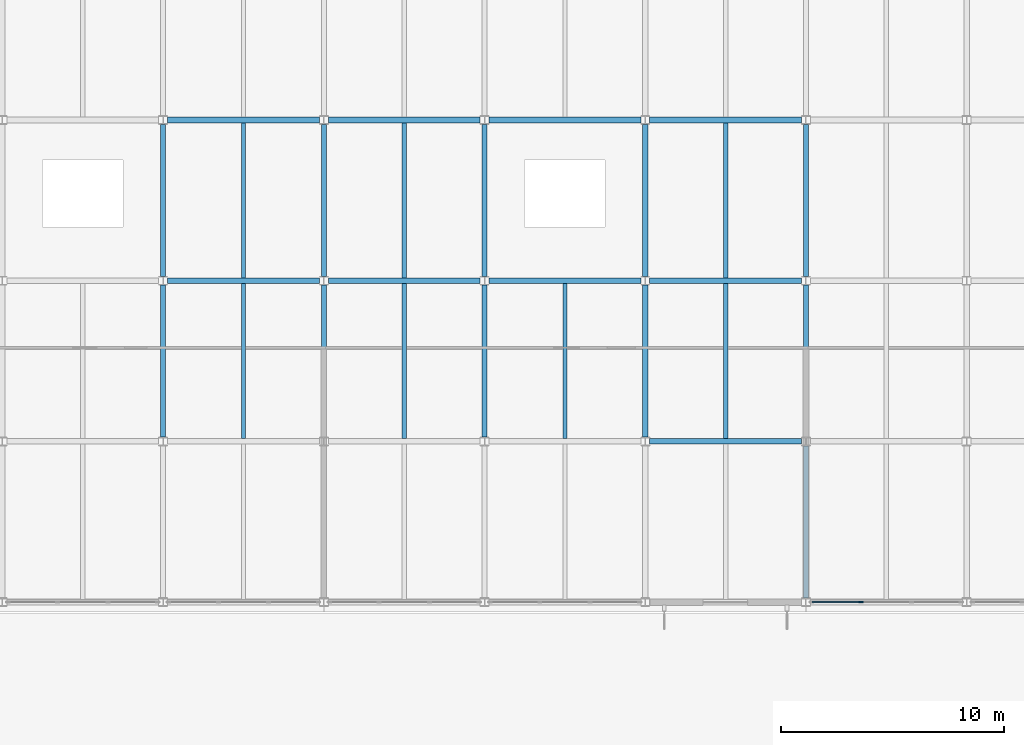
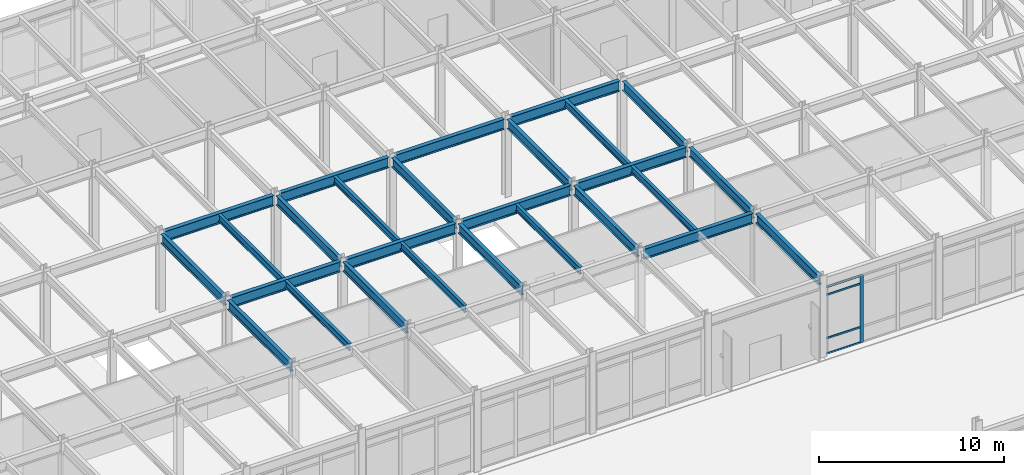
# One storey, part 34 of 104: 27 beams, 5 members, 1 element without a shape of its own.
"""IFC4 building model written with IfcOpenShell, lengths in metres."""

from ifc_helpers import new_model, si_unit, direction, frame, origin, origin_2d, place, context, subcontext, project, spatial, rectangle, i_section, extrude, material, material_profile, profile_set, type_object, element, aggregate, save


model = new_model("IFC4")

# Units and contexts
model_context = context("Model", 3, precision=1e-05, world=origin(), true_north=direction((0.0, 1.0)))
body_context = subcontext(model_context, "Body", "Model", "MODEL_VIEW")
ifc_project = project(units=[si_unit("LENGTHUNIT", "METRE"), si_unit("AREAUNIT", "SQUARE_METRE"), si_unit("VOLUMEUNIT", "CUBIC_METRE"), si_unit("PLANEANGLEUNIT", "RADIAN"), si_unit("MASSUNIT", "GRAM", prefix="KILO")], contexts=[model_context])

# Site, building, storey
site_placement = place(None, origin())
site = spatial("IfcSite", under=ifc_project, at=site_placement, CompositionType="ELEMENT")
building_placement = place(site_placement, origin())
building = spatial("IfcBuilding", under=site, at=building_placement, Name="Vaelcorin Mobility Hub", CompositionType="ELEMENT")
storey_placement = place(building_placement, origin())
storey = spatial("IfcBuildingStorey", under=building, at=storey_placement, Name="L00", CompositionType="ELEMENT", Elevation=0.0)

# Beams
ifc_material_1 = material(Name="Steel ASTM A992 Grade 50", Category="steel")
ifc_material_profile_1 = material_profile(ifc_material_1, i_section(OverallWidth=0.19091796875, OverallDepth=0.4599609375, WebThickness=0.010009765625, FlangeThickness=0.01611328125, FilletRadius=0.012939453125, at=origin_2d()), Name="W18X55")
ifc_profile_set_1 = profile_set([ifc_material_profile_1], Name="Steel ASTM A992 Grade 50")
beam_type_1 = type_object("IfcBeamType", Name="BM-W18X55", PredefinedType="JOIST", material=ifc_profile_set_1)
for number, where, z_axis, x_axis, name in (
    (1, (75.60009765625, 84.125, 4.929931640625), (0.0, 1.0, 0.0), (-1.0, 0.0, 0.0), "L00 Beam V4-L00-J-06-02-1"),
    (2, (75.60009765625, 91.324951171875, 4.929931640625), (0.0, 1.0, 0.0), (-1.0, 0.0, 0.0), "L00 Beam V4-L00-J-06-03-1"),
    (3, (82.800048828125, 84.125, 4.929931640625), (0.0, 1.0, 0.0), (-1.0, 0.0, 0.0), "L00 Beam V4-L00-J-07-02-1"),
    (4, (82.800048828125, 91.324951171875, 4.929931640625), (0.0, 1.0, 0.0), (-1.0, 0.0, 0.0), "L00 Beam V4-L00-J-07-03-1"),
    (5, (90.0, 84.125, 4.929931640625), (0.0, 1.0, 0.0), (-1.0, 0.0, 0.0), "L00 Beam V4-L00-J-08-02-1"),
    (6, (97.199951171875, 84.125, 4.929931640625), (0.0, 1.0, 0.0), (-1.0, 0.0, 0.0), "L00 Beam V4-L00-J-09-02-1"),
    (7, (97.199951171875, 91.324951171875, 4.929931640625), (0.0, 1.0, 0.0), (-1.0, 0.0, 0.0), "L00 Beam V4-L00-J-09-03-1"),
):
    element("IfcBeam", number, at=place(storey_placement, frame(where, z_axis=z_axis, x_axis=x_axis)), inside=storey, type_object=beam_type_1, Name=name, PredefinedType="JOIST", context=body_context, shape_type="SweptSolid", body=[
        extrude(i_section(OverallWidth=0.19091796875, OverallDepth=0.4599609375, WebThickness=0.010009765625, FlangeThickness=0.01611328125, FilletRadius=0.012939453125, at=origin_2d()), origin(), (0.0, 0.0, 1.0), 6.949951171875),
    ])
ifc_material_profile_2 = material_profile(ifc_material_1, i_section(OverallWidth=0.22900390625, OverallDepth=0.612060546875, WebThickness=0.011962890625, FlangeThickness=0.01953125, FilletRadius=0.014892578125, at=origin_2d()), Name="W24X84")
ifc_profile_set_2 = profile_set([ifc_material_profile_2], Name="Steel ASTM A992 Grade 50")
beam_type_2 = type_object("IfcBeamType", Name="BM-W24X84", PredefinedType="BEAM", material=ifc_profile_set_2)
beam_1_placement = place(storey_placement, frame((72.0, 84.200927734375, 4.85400390625), z_axis=(0.0, 1.0, 0.0), x_axis=(-1.0, 0.0, 0.0)))
element("IfcBeam", 8, at=beam_1_placement, inside=storey, type_object=beam_type_2, Name="L00 Beam V4-L00-GY-06-02", PredefinedType="BEAM", context=body_context, shape_type="SweptSolid", body=[
    extrude(i_section(OverallWidth=0.22900390625, OverallDepth=0.612060546875, WebThickness=0.011962890625, FlangeThickness=0.01953125, FilletRadius=0.014892578125, at=origin_2d()), origin(), (0.0, 0.0, 1.0), 6.803955078125),
])
beam_2_placement = place(storey_placement, frame((72.0, 91.39501953125, 4.85400390625), z_axis=(0.0, 1.0, 0.0), x_axis=(-1.0, 0.0, 0.0)))
element("IfcBeam", 9, at=beam_2_placement, inside=storey, type_object=beam_type_2, Name="L00 Beam V4-L00-GY-06-03", PredefinedType="BEAM", context=body_context, shape_type="SweptSolid", body=[
    extrude(i_section(OverallWidth=0.22900390625, OverallDepth=0.612060546875, WebThickness=0.011962890625, FlangeThickness=0.01953125, FilletRadius=0.014892578125, at=origin_2d()), origin(), (0.0, 0.0, 1.0), 6.81005859375),
])
beam_3_placement = place(storey_placement, frame((79.199951171875, 84.200927734375, 4.85400390625), z_axis=(0.0, 1.0, 0.0), x_axis=(-1.0, 0.0, 0.0)))
element("IfcBeam", 10, at=beam_3_placement, inside=storey, type_object=beam_type_2, Name="L00 Beam V4-L00-GY-07-02", PredefinedType="BEAM", context=body_context, shape_type="SweptSolid", body=[
    extrude(i_section(OverallWidth=0.22900390625, OverallDepth=0.612060546875, WebThickness=0.011962890625, FlangeThickness=0.01953125, FilletRadius=0.014892578125, at=origin_2d()), origin(), (0.0, 0.0, 1.0), 6.803955078125),
])
beam_4_placement = place(storey_placement, frame((79.199951171875, 91.39501953125, 4.85400390625), z_axis=(0.0, 1.0, 0.0), x_axis=(-1.0, 0.0, 0.0)))
element("IfcBeam", 11, at=beam_4_placement, inside=storey, type_object=beam_type_2, Name="L00 Beam V4-L00-GY-07-03", PredefinedType="BEAM", context=body_context, shape_type="SweptSolid", body=[
    extrude(i_section(OverallWidth=0.22900390625, OverallDepth=0.612060546875, WebThickness=0.011962890625, FlangeThickness=0.01953125, FilletRadius=0.014892578125, at=origin_2d()), origin(), (0.0, 0.0, 1.0), 6.81005859375),
])
beam_5_placement = place(storey_placement, frame((86.39990234375, 84.200927734375, 4.85400390625), z_axis=(0.0, 1.0, 0.0), x_axis=(-1.0, 0.0, 0.0)))
element("IfcBeam", 12, at=beam_5_placement, inside=storey, type_object=beam_type_2, Name="L00 Beam V4-L00-GY-08-02", PredefinedType="BEAM", context=body_context, shape_type="SweptSolid", body=[
    extrude(i_section(OverallWidth=0.22900390625, OverallDepth=0.612060546875, WebThickness=0.011962890625, FlangeThickness=0.01953125, FilletRadius=0.014892578125, at=origin_2d()), origin(), (0.0, 0.0, 1.0), 6.803955078125),
])
beam_6_placement = place(storey_placement, frame((86.39990234375, 91.39501953125, 4.85400390625), z_axis=(0.0, 1.0, 0.0), x_axis=(-1.0, 0.0, 0.0)))
element("IfcBeam", 13, at=beam_6_placement, inside=storey, type_object=beam_type_2, Name="L00 Beam V4-L00-GY-08-03", PredefinedType="BEAM", context=body_context, shape_type="SweptSolid", body=[
    extrude(i_section(OverallWidth=0.22900390625, OverallDepth=0.612060546875, WebThickness=0.011962890625, FlangeThickness=0.01953125, FilletRadius=0.014892578125, at=origin_2d()), origin(), (0.0, 0.0, 1.0), 6.81005859375),
])
beam_7_placement = place(storey_placement, frame((93.60009765625, 84.200927734375, 4.85400390625), z_axis=(0.0, 1.0, 0.0), x_axis=(-1.0, 0.0, 0.0)))
element("IfcBeam", 14, at=beam_7_placement, inside=storey, type_object=beam_type_2, Name="L00 Beam V4-L00-GY-09-02", PredefinedType="BEAM", context=body_context, shape_type="SweptSolid", body=[
    extrude(i_section(OverallWidth=0.22900390625, OverallDepth=0.612060546875, WebThickness=0.011962890625, FlangeThickness=0.01953125, FilletRadius=0.014892578125, at=origin_2d()), origin(), (0.0, 0.0, 1.0), 6.803955078125),
])
beam_8_placement = place(storey_placement, frame((93.60009765625, 91.39501953125, 4.85400390625), z_axis=(0.0, 1.0, 0.0), x_axis=(-1.0, 0.0, 0.0)))
element("IfcBeam", 15, at=beam_8_placement, inside=storey, type_object=beam_type_2, Name="L00 Beam V4-L00-GY-09-03", PredefinedType="BEAM", context=body_context, shape_type="SweptSolid", body=[
    extrude(i_section(OverallWidth=0.22900390625, OverallDepth=0.612060546875, WebThickness=0.011962890625, FlangeThickness=0.01953125, FilletRadius=0.014892578125, at=origin_2d()), origin(), (0.0, 0.0, 1.0), 6.81005859375),
])
for number, where, z_axis, x_axis, name in (
    (16, (100.800048828125, 76.9951171875, 4.85400390625), (0.0, 1.0, 0.0), (-1.0, 0.0, 0.0), "L00 Beam V4-L00-GY-10-01"),
    (17, (100.800048828125, 84.200927734375, 4.85400390625), (0.0, 1.0, 0.0), (-1.0, 0.0, 0.0), "L00 Beam V4-L00-GY-10-02"),
):
    element("IfcBeam", number, at=place(storey_placement, frame(where, z_axis=z_axis, x_axis=x_axis)), inside=storey, type_object=beam_type_2, Name=name, PredefinedType="BEAM", context=body_context, shape_type="SweptSolid", body=[
        extrude(i_section(OverallWidth=0.22900390625, OverallDepth=0.612060546875, WebThickness=0.011962890625, FlangeThickness=0.01953125, FilletRadius=0.014892578125, at=origin_2d()), origin(), (0.0, 0.0, 1.0), 6.803955078125),
    ])
beam_9_placement = place(storey_placement, frame((100.800048828125, 91.39501953125, 4.85400390625), z_axis=(0.0, 1.0, 0.0), x_axis=(-1.0, 0.0, 0.0)))
element("IfcBeam", 18, at=beam_9_placement, inside=storey, type_object=beam_type_2, Name="L00 Beam V4-L00-GY-10-03", PredefinedType="BEAM", context=body_context, shape_type="SweptSolid", body=[
    extrude(i_section(OverallWidth=0.22900390625, OverallDepth=0.612060546875, WebThickness=0.011962890625, FlangeThickness=0.01953125, FilletRadius=0.014892578125, at=origin_2d()), origin(), (0.0, 0.0, 1.0), 6.81005859375),
])
ifc_material_profile_3 = material_profile(ifc_material_1, i_section(OverallWidth=0.25390625, OverallDepth=0.68310546875, WebThickness=0.012451171875, FlangeThickness=0.018798828125, FilletRadius=0.01611328125, at=origin_2d()), Name="W27X94")
ifc_profile_set_3 = profile_set([ifc_material_profile_3], Name="Steel ASTM A992 Grade 50")
beam_type_3 = type_object("IfcBeamType", Name="BM-W27X94", PredefinedType="BEAM", material=ifc_profile_set_3)
beam_10_placement = place(storey_placement, frame((93.800048828125, 84.0, 4.818115234375), z_axis=(1.0, 0.0, 0.0), x_axis=(0.0, 1.0, 0.0)))
element("IfcBeam", 19, at=beam_10_placement, inside=storey, type_object=beam_type_3, Name="L00 Beam V4-L00-GX-02-09", PredefinedType="BEAM", context=body_context, shape_type="SweptSolid", body=[
    extrude(i_section(OverallWidth=0.25390625, OverallDepth=0.68310546875, WebThickness=0.012451171875, FlangeThickness=0.018798828125, FilletRadius=0.01611328125, at=origin_2d()), origin(), (0.0, 0.0, 1.0), 6.800048828125),
])
for number, where, z_axis, x_axis, name in (
    (20, (72.197998046875, 91.199951171875, 4.818115234375), (1.0, 0.0, 0.0), (0.0, 1.0, 0.0), "L00 Beam V4-L00-GX-03-06"),
    (21, (79.39794921875, 91.199951171875, 4.818115234375), (1.0, 0.0, 0.0), (0.0, 1.0, 0.0), "L00 Beam V4-L00-GX-03-07"),
):
    element("IfcBeam", number, at=place(storey_placement, frame(where, z_axis=z_axis, x_axis=x_axis)), inside=storey, type_object=beam_type_3, Name=name, PredefinedType="BEAM", context=body_context, shape_type="SweptSolid", body=[
        extrude(i_section(OverallWidth=0.25390625, OverallDepth=0.68310546875, WebThickness=0.012451171875, FlangeThickness=0.018798828125, FilletRadius=0.01611328125, at=origin_2d()), origin(), (0.0, 0.0, 1.0), 6.803955078125),
    ])
beam_11_placement = place(storey_placement, frame((86.597900390625, 91.199951171875, 4.818115234375), z_axis=(1.0, 0.0, 0.0), x_axis=(0.0, 1.0, 0.0)))
element("IfcBeam", 22, at=beam_11_placement, inside=storey, type_object=beam_type_3, Name="L00 Beam V4-L00-GX-03-08", PredefinedType="BEAM", context=body_context, shape_type="SweptSolid", body=[
    extrude(i_section(OverallWidth=0.25390625, OverallDepth=0.68310546875, WebThickness=0.012451171875, FlangeThickness=0.018798828125, FilletRadius=0.01611328125, at=origin_2d()), origin(), (0.0, 0.0, 1.0), 6.80419921875),
])
for number, where, z_axis, x_axis, name in (
    (23, (93.798095703125, 91.199951171875, 4.818115234375), (1.0, 0.0, 0.0), (0.0, 1.0, 0.0), "L00 Beam V4-L00-GX-03-09"),
    (24, (72.197998046875, 98.39990234375, 4.818115234375), (1.0, 0.0, 0.0), (0.0, 1.0, 0.0), "L00 Beam V4-L00-GX-04-06"),
    (25, (79.39794921875, 98.39990234375, 4.818115234375), (1.0, 0.0, 0.0), (0.0, 1.0, 0.0), "L00 Beam V4-L00-GX-04-07"),
):
    element("IfcBeam", number, at=place(storey_placement, frame(where, z_axis=z_axis, x_axis=x_axis)), inside=storey, type_object=beam_type_3, Name=name, PredefinedType="BEAM", context=body_context, shape_type="SweptSolid", body=[
        extrude(i_section(OverallWidth=0.25390625, OverallDepth=0.68310546875, WebThickness=0.012451171875, FlangeThickness=0.018798828125, FilletRadius=0.01611328125, at=origin_2d()), origin(), (0.0, 0.0, 1.0), 6.803955078125),
    ])
beam_12_placement = place(storey_placement, frame((86.597900390625, 98.39990234375, 4.818115234375), z_axis=(1.0, 0.0, 0.0), x_axis=(0.0, 1.0, 0.0)))
element("IfcBeam", 26, at=beam_12_placement, inside=storey, type_object=beam_type_3, Name="L00 Beam V4-L00-GX-04-08", PredefinedType="BEAM", context=body_context, shape_type="SweptSolid", body=[
    extrude(i_section(OverallWidth=0.25390625, OverallDepth=0.68310546875, WebThickness=0.012451171875, FlangeThickness=0.018798828125, FilletRadius=0.01611328125, at=origin_2d()), origin(), (0.0, 0.0, 1.0), 6.80419921875),
])
beam_13_placement = place(storey_placement, frame((93.798095703125, 98.39990234375, 4.818115234375), z_axis=(1.0, 0.0, 0.0), x_axis=(0.0, 1.0, 0.0)))
element("IfcBeam", 27, at=beam_13_placement, inside=storey, type_object=beam_type_3, Name="L00 Beam V4-L00-GX-04-09", PredefinedType="BEAM", context=body_context, shape_type="SweptSolid", body=[
    extrude(i_section(OverallWidth=0.25390625, OverallDepth=0.68310546875, WebThickness=0.012451171875, FlangeThickness=0.018798828125, FilletRadius=0.01611328125, at=origin_2d()), origin(), (0.0, 0.0, 1.0), 6.803955078125),
])

# Curtain wall, members
ifc_material_2 = material(Name="Anodised aluminium 6063-T6", Category="aluminium")
curtain_wall_type = type_object("IfcCurtainWallType", Name="CW-MSC-A", PredefinedType="NOTDEFINED", material=ifc_material_2)
curtain_wall_placement = place(storey_placement, origin())
curtain_wall = element("IfcCurtainWall", 28, at=curtain_wall_placement, inside=storey, type_object=curtain_wall_type, Name="L00 Curtain Wall CW-V4-L00-S-10", PredefinedType="NOTDEFINED")
ifc_material_profile_4 = material_profile(ifc_material_2, rectangle(XDim=0.070068359375, YDim=0.199951171875, at=origin_2d()), Name="ALU-M70X200")
ifc_profile_set_4 = profile_set([ifc_material_profile_4], Name="Anodised aluminium 6063-T6")
member_type_1 = type_object("IfcMemberType", Name="CW-MULL-200", PredefinedType="MULLION", material=ifc_profile_set_4)
member_1_placement = place(storey_placement, frame((103.2734375, 76.800048828125, 0.0), z_axis=(0.0, 0.0, 1.0), x_axis=(0.0, -1.0, 0.0)))
member_1 = element("IfcMember", 29, at=member_1_placement, type_object=member_type_1, Name="CW3 mullion 3", PredefinedType="MULLION", context=body_context, shape_type="SweptSolid", body=[
    extrude(rectangle(XDim=0.070068359375, YDim=0.199951171875, at=origin_2d()), origin(), (0.0, 0.0, 1.0), 4.4619140625),
])
ifc_material_profile_5 = material_profile(ifc_material_2, rectangle(XDim=0.06005859375, YDim=0.1201171875, at=origin_2d()), Name="ALU-T60X120")
ifc_profile_set_5 = profile_set([ifc_material_profile_5], Name="Anodised aluminium 6063-T6")
member_type_2 = type_object("IfcMemberType", Name="CW-TRAN-140", PredefinedType="USERDEFINED", material=ifc_profile_set_5)
member_2_placement = place(storey_placement, frame((103.243408203125, 76.800048828125, 0.030029296875), z_axis=(-1.0, 0.0, 0.0), x_axis=(0.0, -1.0, 0.0)))
member_2 = element("IfcMember", 30, at=member_2_placement, type_object=member_type_2, Name="CW3 transom 3.1", ObjectType="TRANSOM", PredefinedType="USERDEFINED", context=body_context, shape_type="SweptSolid", body=[
    extrude(rectangle(XDim=0.06005859375, YDim=0.1201171875, at=origin_2d()), origin(), (0.0, 0.0, 1.0), 2.163330078125),
])
member_3_placement = place(storey_placement, frame((103.243408203125, 76.800048828125, 1.050048828125), z_axis=(-1.0, 0.0, 0.0), x_axis=(0.0, -1.0, 0.0)))
member_3 = element("IfcMember", 31, at=member_3_placement, type_object=member_type_2, Name="CW3 transom 3.2", ObjectType="TRANSOM", PredefinedType="USERDEFINED", context=body_context, shape_type="SweptSolid", body=[
    extrude(rectangle(XDim=0.06005859375, YDim=0.1201171875, at=origin_2d()), origin(), (0.0, 0.0, 1.0), 2.163330078125),
])
member_4_placement = place(storey_placement, frame((103.243408203125, 76.800048828125, 3.912109375), z_axis=(-1.0, 0.0, 0.0), x_axis=(0.0, -1.0, 0.0)))
member_4 = element("IfcMember", 32, at=member_4_placement, type_object=member_type_2, Name="CW3 transom 3.3", ObjectType="TRANSOM", PredefinedType="USERDEFINED", context=body_context, shape_type="SweptSolid", body=[
    extrude(rectangle(XDim=0.06005859375, YDim=0.1201171875, at=origin_2d()), origin(), (0.0, 0.0, 1.0), 2.163330078125),
])
member_5_placement = place(storey_placement, frame((103.243408203125, 76.800048828125, 4.431884765625), z_axis=(-1.0, 0.0, 0.0), x_axis=(0.0, -1.0, 0.0)))
member_5 = element("IfcMember", 33, at=member_5_placement, type_object=member_type_2, Name="CW3 transom 3.4", ObjectType="TRANSOM", PredefinedType="USERDEFINED", context=body_context, shape_type="SweptSolid", body=[
    extrude(rectangle(XDim=0.06005859375, YDim=0.1201171875, at=origin_2d()), origin(), (0.0, 0.0, 1.0), 2.163330078125),
])
aggregate(curtain_wall, [member_1, member_2, member_3, member_4, member_5])

save(model, "model.ifc")
